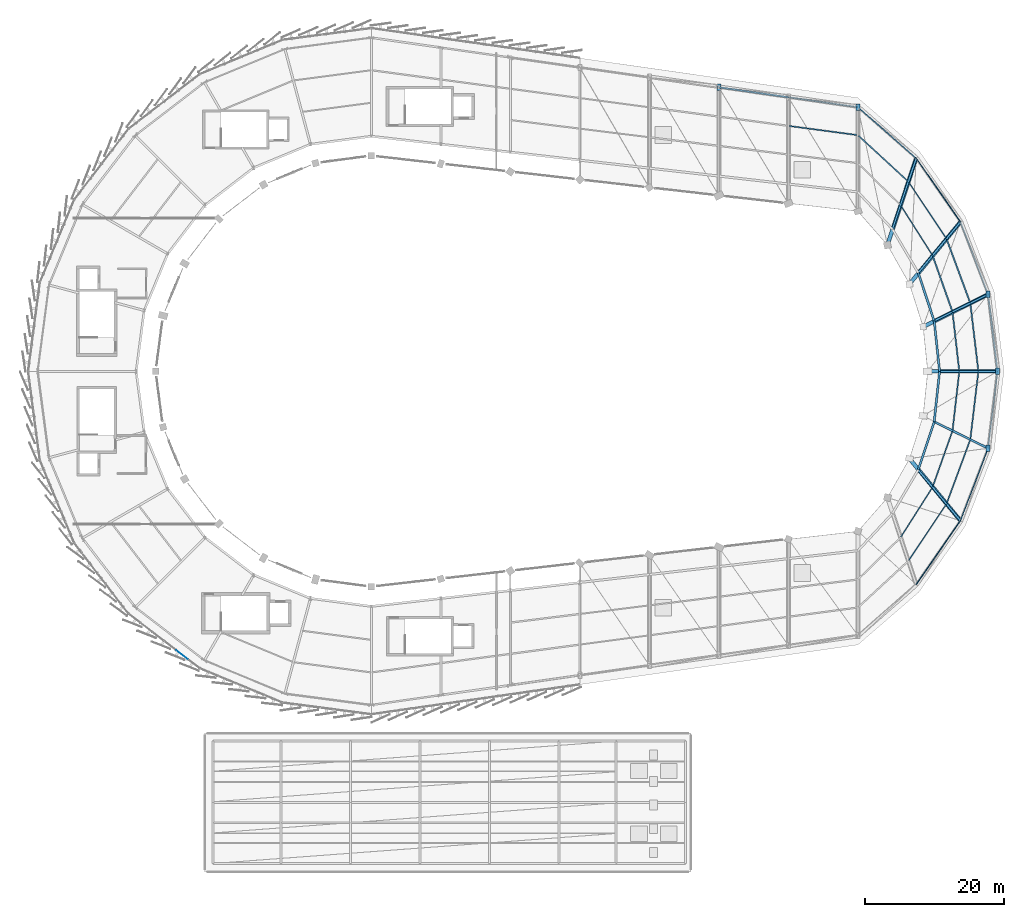
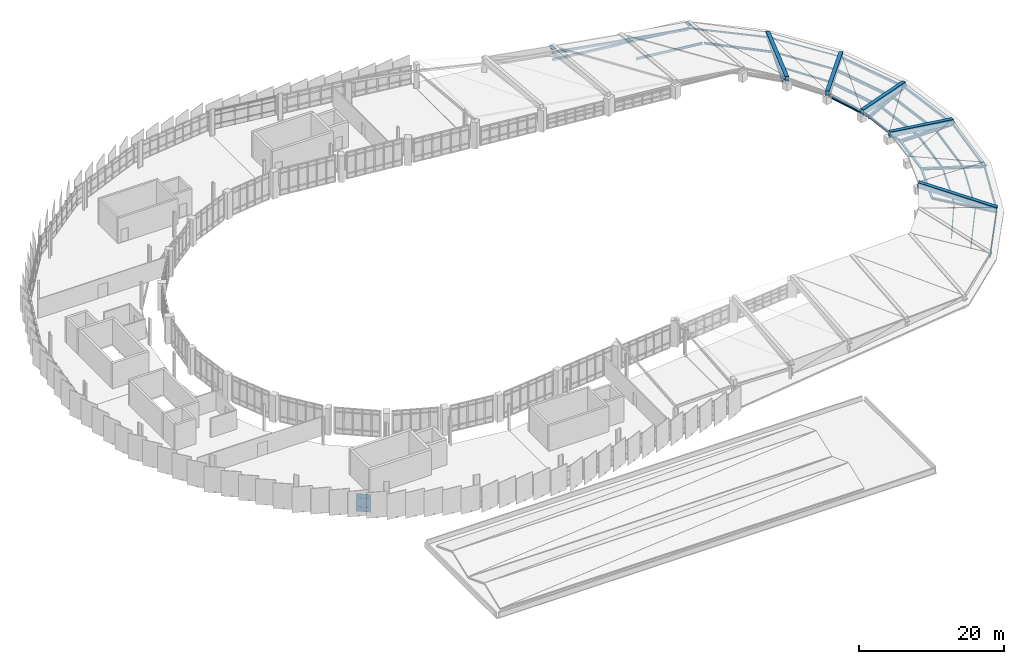
# One storey, part 44 of 67: 43 beams, 3 plates, 2 members, 1 element without a shape of its own.
"""IFC4 building model written with IfcOpenShell, lengths in metres."""

from ifc_helpers import new_model, si_unit, direction, frame, origin, origin_2d, place, context, subcontext, project, spatial, rectangle, hollow_rectangle, i_section, extrude, material, layer, layer_set, material_profile, profile_set, type_object, element, aggregate, save


model = new_model("IFC4")

# Units and contexts
model_context = context("Model", 3, precision=1e-05, world=origin(), true_north=direction((0.0, 1.0)))
body_context = subcontext(model_context, "Body", "Model", "MODEL_VIEW")
ifc_project = project(units=[si_unit("LENGTHUNIT", "METRE"), si_unit("AREAUNIT", "SQUARE_METRE"), si_unit("VOLUMEUNIT", "CUBIC_METRE"), si_unit("PLANEANGLEUNIT", "RADIAN"), si_unit("MASSUNIT", "GRAM", prefix="KILO")], contexts=[model_context])

# Site, building, storey
site_placement = place(None, origin())
site = spatial("IfcSite", under=ifc_project, at=site_placement, CompositionType="ELEMENT")
building_placement = place(site_placement, origin())
building = spatial("IfcBuilding", under=site, at=building_placement, Name="Sohan Crest Arena", CompositionType="ELEMENT")
storey_placement = place(building_placement, frame((0.0, 0.0, 22.5)))
storey = spatial("IfcBuildingStorey", under=building, at=storey_placement, Name="L05", CompositionType="ELEMENT", Elevation=22.5)

# Beams
ifc_material_1 = material(Name="Steel S355", Category="steel")
ifc_material_profile_1 = material_profile(ifc_material_1, i_section(OverallWidth=0.14990234375, OverallDepth=0.300048828125, WebThickness=0.007080078125, FlangeThickness=0.0107421875, at=origin_2d()), Name="IPE 300")
ifc_profile_set_1 = profile_set([ifc_material_profile_1], Name="Steel S355")
beam_type_1 = type_object("IfcBeamType", Name="STR-BM-B01", PredefinedType="JOIST", material=ifc_profile_set_1)
beam_1_placement = place(storey_placement, frame((174.18310546875, 54.175048828125, -0.3701171875), z_axis=(0.536679400997, 0.843786241027, 0.0), x_axis=(-0.843786241027, 0.536679400997, 0.0)))
element("IfcBeam", 1, at=beam_1_placement, inside=storey, type_object=beam_type_1, Name="Structural beam J-L05-1799", PredefinedType="JOIST", context=body_context, shape_type="SweptSolid", body=[
    extrude(i_section(OverallWidth=0.14990234375, OverallDepth=0.300048828125, WebThickness=0.007080078125, FlangeThickness=0.0107421875, at=origin_2d()), origin(), (0.0, 0.0, 1.0), 8.37890625),
])
beam_2_placement = place(storey_placement, frame((175.31494140625, 50.80908203125, -0.3701171875), z_axis=(0.556006645923, 0.831177844802, 0.0), x_axis=(-0.831177844802, 0.556006645923, 0.0)))
element("IfcBeam", 2, at=beam_2_placement, inside=storey, type_object=beam_type_1, Name="Structural beam J-L05-1800", PredefinedType="JOIST", context=body_context, shape_type="SweptSolid", body=[
    extrude(i_section(OverallWidth=0.14990234375, OverallDepth=0.300048828125, WebThickness=0.007080078125, FlangeThickness=0.0107421875, at=origin_2d()), origin(), (0.0, 0.0, 1.0), 9.65478515625),
])
beam_3_placement = place(storey_placement, frame((178.679931640625, 94.7548828125, -0.3701171875), z_axis=(-0.536679400997, 0.843786241027, 0.0), x_axis=(-0.843786241027, -0.536679400997, 0.0)))
element("IfcBeam", 3, at=beam_3_placement, inside=storey, type_object=beam_type_1, Name="Structural beam J-L05-1824", PredefinedType="JOIST", context=body_context, shape_type="SweptSolid", body=[
    extrude(i_section(OverallWidth=0.14990234375, OverallDepth=0.300048828125, WebThickness=0.007080078125, FlangeThickness=0.0107421875, at=origin_2d()), origin(), (0.0, 0.0, 1.0), 8.37890625),
])
beam_4_placement = place(storey_placement, frame((180.68310546875, 97.166015625, -0.3701171875), z_axis=(-0.556006645923, 0.831177844802, 0.0), x_axis=(-0.831177844802, -0.556006645923, 0.0)))
element("IfcBeam", 4, at=beam_4_placement, inside=storey, type_object=beam_type_1, Name="Structural beam J-L05-1825", PredefinedType="JOIST", context=body_context, shape_type="SweptSolid", body=[
    extrude(i_section(OverallWidth=0.14990234375, OverallDepth=0.300048828125, WebThickness=0.007080078125, FlangeThickness=0.0107421875, at=origin_2d()), origin(), (0.0, 0.0, 1.0), 9.65478515625),
])
ifc_material_profile_2 = material_profile(ifc_material_1, i_section(OverallWidth=0.169921875, OverallDepth=0.360107421875, WebThickness=0.008056640625, FlangeThickness=0.0126953125, at=origin_2d()), Name="IPE 360")
ifc_profile_set_2 = profile_set([ifc_material_profile_2], Name="Steel S355")
beam_type_2 = type_object("IfcBeamType", Name="STR-BM-B02", PredefinedType="JOIST", material=ifc_profile_set_2)
beam_5_placement = place(storey_placement, frame((178.77587890625, 61.44189453125, -0.39990234375), z_axis=(0.333403454645, 0.942784247021, 0.0), x_axis=(-0.942784247021, 0.333403454645, 0.0)))
element("IfcBeam", 5, at=beam_5_placement, inside=storey, type_object=beam_type_2, Name="Structural beam J-L05-1804", PredefinedType="JOIST", context=body_context, shape_type="SweptSolid", body=[
    extrude(i_section(OverallWidth=0.169921875, OverallDepth=0.360107421875, WebThickness=0.008056640625, FlangeThickness=0.0126953125, at=origin_2d()), origin(), (0.0, 0.0, 1.0), 8.3837890625),
])
beam_6_placement = place(storey_placement, frame((180.781982421875, 59.028076171875, -0.39990234375), z_axis=(0.346567455642, 0.938025052272, 0.0), x_axis=(-0.938025052272, 0.346567455642, 0.0)))
element("IfcBeam", 6, at=beam_6_placement, inside=storey, type_object=beam_type_2, Name="Structural beam J-L05-1805", PredefinedType="JOIST", context=body_context, shape_type="SweptSolid", body=[
    extrude(i_section(OverallWidth=0.169921875, OverallDepth=0.360107421875, WebThickness=0.008056640625, FlangeThickness=0.0126953125, at=origin_2d()), origin(), (0.0, 0.0, 1.0), 9.657470703125),
])
beam_7_placement = place(storey_placement, frame((175.173095703125, 105.35693359375, -0.39990234375), z_axis=(-0.735036224245, 0.678027837959, 0.0), x_axis=(-0.678027837959, -0.735036224245, 0.0)))
element("IfcBeam", 7, at=beam_7_placement, inside=storey, type_object=beam_type_2, Name="Structural beam J-L05-1830", PredefinedType="JOIST", context=body_context, shape_type="SweptSolid", body=[
    extrude(i_section(OverallWidth=0.169921875, OverallDepth=0.360107421875, WebThickness=0.008056640625, FlangeThickness=0.0126953125, at=origin_2d()), origin(), (0.0, 0.0, 1.0), 9.648681640625),
])
ifc_material_profile_3 = material_profile(ifc_material_1, i_section(OverallWidth=0.179931640625, OverallDepth=0.39990234375, WebThickness=0.008544921875, FlangeThickness=0.013427734375, at=origin_2d()), Name="IPE 400")
ifc_profile_set_3 = profile_set([ifc_material_profile_3], Name="Steel S355")
beam_type_3 = type_object("IfcBeamType", Name="STR-BM-B03", PredefinedType="JOIST", material=ifc_profile_set_3)
beam_8_placement = place(storey_placement, frame((181.6201171875, 69.55908203125, -0.419921875), z_axis=(0.11316313726, 0.993576420999, 0.0), x_axis=(-0.993576420999, 0.11316313726, 0.0)))
element("IfcBeam", 8, at=beam_8_placement, inside=storey, type_object=beam_type_3, Name="Structural beam J-L05-1809", PredefinedType="JOIST", context=body_context, shape_type="SweptSolid", body=[
    extrude(i_section(OverallWidth=0.179931640625, OverallDepth=0.39990234375, WebThickness=0.008544921875, FlangeThickness=0.013427734375, at=origin_2d()), origin(), (0.0, 0.0, 1.0), 8.385986328125),
])
beam_9_placement = place(storey_placement, frame((184.179931640625, 68.299072265625, -0.419921875), z_axis=(0.117608198901, 0.993060074493, 0.0), x_axis=(-0.993060074493, 0.117608198901, 0.0)))
element("IfcBeam", 9, at=beam_9_placement, inside=storey, type_object=beam_type_3, Name="Structural beam J-L05-1810", PredefinedType="JOIST", context=body_context, shape_type="SweptSolid", body=[
    extrude(i_section(OverallWidth=0.179931640625, OverallDepth=0.39990234375, WebThickness=0.008544921875, FlangeThickness=0.013427734375, at=origin_2d()), origin(), (0.0, 0.0, 1.0), 9.6591796875),
])
beam_10_placement = place(storey_placement, frame((167.89111328125, 111.989013671875, -0.419921875), z_axis=(-0.991219472477, 0.132226916252, 0.0), x_axis=(-0.132226916252, -0.991219472477, 0.0)))
element("IfcBeam", 10, at=beam_10_placement, inside=storey, type_object=beam_type_3, Name="Structural beam J-L05-1835", PredefinedType="JOIST", context=body_context, shape_type="SweptSolid", body=[
    extrude(i_section(OverallWidth=0.179931640625, OverallDepth=0.39990234375, WebThickness=0.008544921875, FlangeThickness=0.013427734375, at=origin_2d()), origin(), (0.0, 0.0, 1.0), 9.868896484375),
])
ifc_material_profile_4 = material_profile(ifc_material_1, i_section(OverallWidth=0.18994140625, OverallDepth=0.449951171875, WebThickness=0.009521484375, FlangeThickness=0.0146484375, at=origin_2d()), Name="IPE 450")
ifc_profile_set_4 = profile_set([ifc_material_profile_4], Name="Steel S355")
beam_type_4 = type_object("IfcBeamType", Name="STR-BM-B04", PredefinedType="JOIST", material=ifc_profile_set_4)
beam_11_placement = place(storey_placement, frame((182.569091796875, 78.10888671875, -0.445068359375), z_axis=(-0.11316313726, 0.993576420999, 0.0), x_axis=(-0.993576420999, -0.11316313726, 0.0)))
element("IfcBeam", 11, at=beam_11_placement, inside=storey, type_object=beam_type_4, Name="Structural beam J-L05-1814", PredefinedType="JOIST", context=body_context, shape_type="SweptSolid", body=[
    extrude(i_section(OverallWidth=0.18994140625, OverallDepth=0.449951171875, WebThickness=0.009521484375, FlangeThickness=0.0146484375, at=origin_2d()), origin(), (0.0, 0.0, 1.0), 8.385986328125),
])
beam_12_placement = place(storey_placement, frame((185.31591796875, 78.10888671875, -0.445068359375), z_axis=(-0.117608198901, 0.993060074493, 0.0), x_axis=(-0.993060074493, -0.117608198901, 0.0)))
element("IfcBeam", 12, at=beam_12_placement, inside=storey, type_object=beam_type_4, Name="Structural beam J-L05-1815", PredefinedType="JOIST", context=body_context, shape_type="SweptSolid", body=[
    extrude(i_section(OverallWidth=0.18994140625, OverallDepth=0.449951171875, WebThickness=0.009521484375, FlangeThickness=0.0146484375, at=origin_2d()), origin(), (0.0, 0.0, 1.0), 9.6591796875),
])
ifc_material_profile_5 = material_profile(ifc_material_1, i_section(OverallWidth=0.199951171875, OverallDepth=0.5, WebThickness=0.01025390625, FlangeThickness=0.01611328125, at=origin_2d()), Name="IPE 500")
ifc_profile_set_5 = profile_set([ifc_material_profile_5], Name="Steel S355")
beam_type_5 = type_object("IfcBeamType", Name="STR-BM-B05", PredefinedType="JOIST", material=ifc_profile_set_5)
beam_13_placement = place(storey_placement, frame((181.571044921875, 86.654052734375, -0.469970703125), z_axis=(-0.333403454645, 0.942784247021, 0.0), x_axis=(-0.942784247021, -0.333403454645, 0.0)))
element("IfcBeam", 13, at=beam_13_placement, inside=storey, type_object=beam_type_5, Name="Structural beam J-L05-1819", PredefinedType="JOIST", context=body_context, shape_type="SweptSolid", body=[
    extrude(i_section(OverallWidth=0.199951171875, OverallDepth=0.5, WebThickness=0.01025390625, FlangeThickness=0.01611328125, at=origin_2d()), origin(), (0.0, 0.0, 1.0), 8.3837890625),
])
beam_14_placement = place(storey_placement, frame((184.12890625, 87.9130859375, -0.469970703125), z_axis=(-0.346567455642, 0.938025052272, 0.0), x_axis=(-0.938025052272, -0.346567455642, 0.0)))
element("IfcBeam", 14, at=beam_14_placement, inside=storey, type_object=beam_type_5, Name="Structural beam J-L05-1820", PredefinedType="JOIST", context=body_context, shape_type="SweptSolid", body=[
    extrude(i_section(OverallWidth=0.199951171875, OverallDepth=0.5, WebThickness=0.01025390625, FlangeThickness=0.01611328125, at=origin_2d()), origin(), (0.0, 0.0, 1.0), 9.657470703125),
])
ifc_material_profile_6 = material_profile(ifc_material_1, i_section(OverallWidth=0.300048828125, OverallDepth=0.590087890625, WebThickness=0.012939453125, FlangeThickness=0.02490234375, at=origin_2d()), Name="HEA 600")
ifc_profile_set_6 = profile_set([ifc_material_profile_6], Name="Steel S355")
beam_type_6 = type_object("IfcBeamType", Name="STR-BM-B11", PredefinedType="BEAM", material=ifc_profile_set_6)
beam_15_placement = place(storey_placement, frame((178.971923828125, 85.251953125, -0.514892578125), z_axis=(0.897117109087, 0.441792816356, 0.0), x_axis=(-0.441792816356, 0.897117109087, 0.0)))
element("IfcBeam", 15, at=beam_15_placement, inside=storey, type_object=beam_type_6, Name="Structural beam G-L05-1816", PredefinedType="BEAM", context=body_context, shape_type="SweptSolid", body=[
    extrude(i_section(OverallWidth=0.300048828125, OverallDepth=0.590087890625, WebThickness=0.012939453125, FlangeThickness=0.02490234375, at=origin_2d()), origin(), (0.0, 0.0, 1.0), 8.642333984375),
])
ifc_material_profile_7 = material_profile(ifc_material_1, i_section(OverallWidth=0.300048828125, OverallDepth=0.300048828125, WebThickness=0.010986328125, FlangeThickness=0.01904296875, at=origin_2d()), Name="HEB 300")
ifc_profile_set_7 = profile_set([ifc_material_profile_7], Name="Steel S355")
beam_type_7 = type_object("IfcBeamType", Name="STR-BM-B12", PredefinedType="BEAM", material=ifc_profile_set_7)
beam_16_placement = place(storey_placement, frame((176.674072265625, 63.824951171875, -0.3701171875), z_axis=(0.638940924568, -0.7692558059, 0.0), x_axis=(0.7692558059, 0.638940924568, 0.0)))
element("IfcBeam", 16, at=beam_16_placement, inside=storey, type_object=beam_type_7, Name="Structural beam G-L05-1801", PredefinedType="BEAM", context=body_context, shape_type="SweptSolid", body=[
    extrude(i_section(OverallWidth=0.300048828125, OverallDepth=0.300048828125, WebThickness=0.010986328125, FlangeThickness=0.01904296875, at=origin_2d()), origin(), (0.0, 0.0, 1.0), 9.5078125),
])
beam_17_placement = place(storey_placement, frame((176.674072265625, 63.824951171875, -0.3701171875), z_axis=(0.315012572955, 0.949087498011, 0.0), x_axis=(-0.949087498011, 0.315012572955, 0.0)))
element("IfcBeam", 17, at=beam_17_placement, inside=storey, type_object=beam_type_7, Name="Structural beam G-L05-1802", PredefinedType="BEAM", context=body_context, shape_type="SweptSolid", body=[
    extrude(i_section(OverallWidth=0.300048828125, OverallDepth=0.300048828125, WebThickness=0.010986328125, FlangeThickness=0.01904296875, at=origin_2d()), origin(), (0.0, 0.0, 1.0), 7.29443359375),
])
for number, where, z_axis, x_axis, name in (
    (18, (178.971923828125, 70.748046875, -0.3701171875), (0.106679679342, 0.994293440598, 0.0), (-0.994293440598, 0.106679679342, 0.0), "Structural beam G-L05-1807"),
    (19, (179.75, 78.0, -0.3701171875), (-0.106679679342, 0.994293440598, 0.0), (-0.994293440598, -0.106679679342, 0.0), "Structural beam G-L05-1812"),
):
    element("IfcBeam", number, at=place(storey_placement, frame(where, z_axis=z_axis, x_axis=x_axis)), inside=storey, type_object=beam_type_7, Name=name, PredefinedType="BEAM", context=body_context, shape_type="SweptSolid", body=[
        extrude(i_section(OverallWidth=0.300048828125, OverallDepth=0.300048828125, WebThickness=0.010986328125, FlangeThickness=0.01904296875, at=origin_2d()), origin(), (0.0, 0.0, 1.0), 7.29345703125),
    ])
beam_18_placement = place(storey_placement, frame((178.971923828125, 85.251953125, -0.3701171875), z_axis=(-0.315012572955, 0.949087498011, 0.0), x_axis=(-0.949087498011, -0.315012572955, 0.0)))
element("IfcBeam", 20, at=beam_18_placement, inside=storey, type_object=beam_type_7, Name="Structural beam G-L05-1817", PredefinedType="BEAM", context=body_context, shape_type="SweptSolid", body=[
    extrude(i_section(OverallWidth=0.300048828125, OverallDepth=0.300048828125, WebThickness=0.010986328125, FlangeThickness=0.01904296875, at=origin_2d()), origin(), (0.0, 0.0, 1.0), 7.29443359375),
])
beam_19_placement = place(storey_placement, frame((176.674072265625, 92.175048828125, -0.3701171875), z_axis=(0.638940924568, 0.7692558059, 0.0), x_axis=(-0.7692558059, 0.638940924568, 0.0)))
element("IfcBeam", 21, at=beam_19_placement, inside=storey, type_object=beam_type_7, Name="Structural beam G-L05-1821", PredefinedType="BEAM", context=body_context, shape_type="SweptSolid", body=[
    extrude(i_section(OverallWidth=0.300048828125, OverallDepth=0.300048828125, WebThickness=0.010986328125, FlangeThickness=0.01904296875, at=origin_2d()), origin(), (0.0, 0.0, 1.0), 9.5078125),
])
ifc_material_profile_8 = material_profile(ifc_material_1, i_section(OverallWidth=0.300048828125, OverallDepth=0.39990234375, WebThickness=0.013427734375, FlangeThickness=0.02392578125, at=origin_2d()), Name="HEB 400")
ifc_profile_set_8 = profile_set([ifc_material_profile_8], Name="Steel S355")
beam_type_8 = type_object("IfcBeamType", Name="STR-BM-B13", PredefinedType="BEAM", material=ifc_profile_set_8)
beam_20_placement = place(storey_placement, frame((178.971923828125, 70.748046875, -0.419921875), z_axis=(0.897117109087, -0.441792816356, 0.0), x_axis=(0.441792816356, 0.897117109087, 0.0)))
element("IfcBeam", 22, at=beam_20_placement, inside=storey, type_object=beam_type_8, Name="Structural beam G-L05-1806", PredefinedType="BEAM", context=body_context, shape_type="SweptSolid", body=[
    extrude(i_section(OverallWidth=0.300048828125, OverallDepth=0.39990234375, WebThickness=0.013427734375, FlangeThickness=0.02392578125, at=origin_2d()), origin(), (0.0, 0.0, 1.0), 8.642333984375),
])
beam_21_placement = place(storey_placement, frame((172.9609375, 98.452880859375, -0.419921875), z_axis=(0.318297981778, 0.947990714509, 0.0), x_axis=(-0.947990714509, 0.318297981778, 0.0)))
element("IfcBeam", 23, at=beam_21_placement, inside=storey, type_object=beam_type_8, Name="Structural beam G-L05-1826", PredefinedType="BEAM", context=body_context, shape_type="SweptSolid", body=[
    extrude(i_section(OverallWidth=0.300048828125, OverallDepth=0.39990234375, WebThickness=0.013427734375, FlangeThickness=0.02392578125, at=origin_2d()), origin(), (0.0, 0.0, 1.0), 10.751220703125),
])
ifc_material_profile_9 = material_profile(ifc_material_1, i_section(OverallWidth=0.300048828125, OverallDepth=0.5, WebThickness=0.014404296875, FlangeThickness=0.028076171875, at=origin_2d()), Name="HEB 500")
ifc_profile_set_9 = profile_set([ifc_material_profile_9], Name="Steel S355")
beam_type_9 = type_object("IfcBeamType", Name="STR-BM-B14", PredefinedType="BEAM", material=ifc_profile_set_9)
beam_22_placement = place(storey_placement, frame((179.75, 78.0, -0.469970703125), z_axis=(1.0, 0.0, 0.0), x_axis=(0.0, 1.0, 0.0)))
element("IfcBeam", 24, at=beam_22_placement, inside=storey, type_object=beam_type_9, Name="Structural beam G-L05-1811", PredefinedType="BEAM", context=body_context, shape_type="SweptSolid", body=[
    extrude(i_section(OverallWidth=0.300048828125, OverallDepth=0.5, WebThickness=0.014404296875, FlangeThickness=0.028076171875, at=origin_2d()), origin(), (0.0, 0.0, 1.0), 8.326904296875),
])
ifc_material_2 = material(Name="Precast concrete C50/60", Category="concrete")
ifc_material_profile_10 = material_profile(ifc_material_2, rectangle(XDim=0.550048828125, YDim=0.89990234375, at=origin_2d()), Name="RAKER 550x900")
ifc_profile_set_10 = profile_set([ifc_material_profile_10], Name="Precast concrete C50/60")
beam_type_10 = type_object("IfcBeamType", Name="STR-BM-RK01", PredefinedType="USERDEFINED", material=ifc_profile_set_10)
beam_23_placement = place(storey_placement, frame((175.408935546875, 65.455078125, 1.43310546875), z_axis=(0.630110977829, -0.767806940721, -0.115899341673), x_axis=(0.77301632557, 0.634386128791, 0.0)))
element("IfcBeam", 25, at=beam_23_placement, inside=storey, type_object=beam_type_10, Name="Perimeter radial apron raker RKB-22", ObjectType="RAKER", PredefinedType="USERDEFINED", context=body_context, shape_type="SweptSolid", body=[
    extrude(rectangle(XDim=0.550048828125, YDim=0.89990234375, at=origin_2d()), origin(), (0.0, 0.0, 1.0), 11.64892578125),
])
beam_24_placement = place(storey_placement, frame((186.72509765625, 66.929931640625, 0.013916015625), z_axis=(0.0, 0.0, -1.0), x_axis=(1.0, 0.0, 0.0)))
element("IfcBeam", 26, at=beam_24_placement, inside=storey, type_object=beam_type_10, Name="Perimeter cantilever nose bracket RKC-23", ObjectType="RAKER", PredefinedType="USERDEFINED", context=body_context, shape_type="SweptSolid", body=[
    extrude(rectangle(XDim=0.550048828125, YDim=0.89990234375, at=origin_2d()), origin(), (0.0, 0.0, 1.0), 0.199951171875),
])
beam_25_placement = place(storey_placement, frame((178.02294921875, 78.0, 1.35009765625), z_axis=(0.991103874193, 0.0, -0.133090610337), x_axis=(0.0, 1.0, 0.0)))
element("IfcBeam", 27, at=beam_25_placement, inside=storey, type_object=beam_type_10, Name="Perimeter radial apron raker RKB-24", ObjectType="RAKER", PredefinedType="USERDEFINED", context=body_context, shape_type="SweptSolid", body=[
    extrude(rectangle(XDim=0.550048828125, YDim=0.89990234375, at=origin_2d()), origin(), (0.0, 0.0, 1.0), 10.144287109375),
])
beam_26_placement = place(storey_placement, frame((188.076904296875, 78.0, 0.0), z_axis=(0.0, 0.0, -1.0), x_axis=(1.0, 0.0, 0.0)))
element("IfcBeam", 28, at=beam_26_placement, inside=storey, type_object=beam_type_10, Name="Perimeter cantilever nose bracket RKC-24", ObjectType="RAKER", PredefinedType="USERDEFINED", context=body_context, shape_type="SweptSolid", body=[
    extrude(rectangle(XDim=0.550048828125, YDim=0.89990234375, at=origin_2d()), origin(), (0.0, 0.0, 1.0), 0.199951171875),
])
beam_27_placement = place(storey_placement, frame((177.363037109375, 84.406982421875, 1.364013671875), z_axis=(0.887746877801, 0.442171887396, -0.1280214941), x_axis=(-0.445840533691, 0.895112405521, 0.0)))
element("IfcBeam", 29, at=beam_27_placement, inside=storey, type_object=beam_type_10, Name="Perimeter radial apron raker RKB-25", ObjectType="RAKER", PredefinedType="USERDEFINED", context=body_context, shape_type="SweptSolid", body=[
    extrude(rectangle(XDim=0.550048828125, YDim=0.89990234375, at=origin_2d()), origin(), (0.0, 0.0, 1.0), 10.5458984375),
])
beam_28_placement = place(storey_placement, frame((186.72509765625, 89.070068359375, 0.013916015625), z_axis=(0.0, 0.0, -1.0), x_axis=(1.0, 0.0, 0.0)))
element("IfcBeam", 30, at=beam_28_placement, inside=storey, type_object=beam_type_10, Name="Perimeter cantilever nose bracket RKC-25", ObjectType="RAKER", PredefinedType="USERDEFINED", context=body_context, shape_type="SweptSolid", body=[
    extrude(rectangle(XDim=0.550048828125, YDim=0.89990234375, at=origin_2d()), origin(), (0.0, 0.0, 1.0), 0.199951171875),
])
beam_29_placement = place(storey_placement, frame((175.408935546875, 90.544921875, 1.43310546875), z_axis=(0.630110977829, 0.767806940721, -0.115899341673), x_axis=(-0.77301632557, 0.634386128791, 0.0)))
element("IfcBeam", 31, at=beam_29_placement, inside=storey, type_object=beam_type_10, Name="Perimeter radial apron raker RKB-26", ObjectType="RAKER", PredefinedType="USERDEFINED", context=body_context, shape_type="SweptSolid", body=[
    extrude(rectangle(XDim=0.550048828125, YDim=0.89990234375, at=origin_2d()), origin(), (0.0, 0.0, 1.0), 11.64892578125),
])
beam_30_placement = place(storey_placement, frame((172.242919921875, 96.154052734375, 1.574951171875), z_axis=(0.312976464904, 0.944263172184, -0.102043099095), x_axis=(-0.949218110987, 0.314618781661, 0.0)))
element("IfcBeam", 32, at=beam_30_placement, inside=storey, type_object=beam_type_10, Name="Perimeter radial apron raker RKB-27", ObjectType="RAKER", PredefinedType="USERDEFINED", context=body_context, shape_type="SweptSolid", body=[
    extrude(rectangle(XDim=0.550048828125, YDim=0.89990234375, at=origin_2d()), origin(), (0.0, 0.0, 1.0), 13.228271484375),
])
for number, where, z_axis, x_axis, name in (
    (33, (168.0, 116.0, 0.448974609375), (0.0, 0.0, -1.0), (1.0, 0.0, 0.0), "Perimeter cantilever nose bracket RKC-28"),
    (34, (148.0, 118.85693359375, 1.77294921875), (0.0, 0.0, -1.0), (1.0, 0.0, 0.0), "Perimeter cantilever nose bracket RKC-30"),
):
    element("IfcBeam", number, at=place(storey_placement, frame(where, z_axis=z_axis, x_axis=x_axis)), inside=storey, type_object=beam_type_10, Name=name, ObjectType="RAKER", PredefinedType="USERDEFINED", context=body_context, shape_type="SweptSolid", body=[
        extrude(rectangle(XDim=0.550048828125, YDim=0.89990234375, at=origin_2d()), origin(), (0.0, 0.0, 1.0), 0.199951171875),
    ])
ifc_material_profile_11 = material_profile(ifc_material_1, hollow_rectangle(XDim=0.10009765625, YDim=0.199951171875, WallThickness=0.008056640625, at=origin_2d()), Name="RHS 200x100x8")
ifc_profile_set_11 = profile_set([ifc_material_profile_11], Name="Steel S355")
beam_type_11 = type_object("IfcBeamType", Name="STR-BM-SP01", PredefinedType="SPANDREL", material=ifc_profile_set_11)
for number, where, z_axis, x_axis, name in (
    (35, (176.383056640625, 47.35498046875, -0.320068359375), (0.570857282329, 0.8210493062, 0.0), (-0.8210493062, 0.570857282329, 0.0), "Structural beam SP-L05-1798"),
    (36, (182.7490234375, 99.489013671875, -0.320068359375), (-0.570857282329, 0.8210493062, 0.0), (-0.8210493062, -0.570857282329, 0.0), "Structural beam SP-L05-1823"),
):
    element("IfcBeam", number, at=place(storey_placement, frame(where, z_axis=z_axis, x_axis=x_axis)), inside=storey, type_object=beam_type_11, Name=name, PredefinedType="SPANDREL", context=body_context, shape_type="SweptSolid", body=[
        extrude(hollow_rectangle(XDim=0.10009765625, YDim=0.199951171875, WallThickness=0.008056640625, at=origin_2d()), origin(), (0.0, 0.0, 1.0), 11.151611328125),
    ])
ifc_material_profile_12 = material_profile(ifc_material_1, hollow_rectangle(XDim=0.14990234375, YDim=0.25, WallThickness=0.010009765625, at=origin_2d()), Name="RHS 250x150x10")
ifc_profile_set_12 = profile_set([ifc_material_profile_12], Name="Steel S355")
beam_type_12 = type_object("IfcBeamType", Name="STR-BM-SP02", PredefinedType="SPANDREL", material=ifc_profile_set_12)
beam_31_placement = place(storey_placement, frame((182.7490234375, 56.510986328125, -0.344970703125), z_axis=(0.356539672716, 0.934280183767, 0.0), x_axis=(-0.934280183767, 0.356539672716, 0.0)))
element("IfcBeam", 37, at=beam_31_placement, inside=storey, type_object=beam_type_12, Name="Structural beam SP-L05-1803", PredefinedType="SPANDREL", context=body_context, shape_type="SweptSolid", body=[
    extrude(hollow_rectangle(XDim=0.14990234375, YDim=0.25, WallThickness=0.010009765625, at=origin_2d()), origin(), (0.0, 0.0, 1.0), 11.15185546875),
])
beam_32_placement = place(storey_placement, frame((176.383056640625, 108.64501953125, -0.344970703125), z_axis=(-0.751695897988, 0.659509876308, 0.0), x_axis=(-0.659509876308, -0.751695897988, 0.0)))
element("IfcBeam", 38, at=beam_32_placement, inside=storey, type_object=beam_type_12, Name="Structural beam SP-L05-1828", PredefinedType="SPANDREL", context=body_context, shape_type="SweptSolid", body=[
    extrude(hollow_rectangle(XDim=0.14990234375, YDim=0.25, WallThickness=0.010009765625, at=origin_2d()), origin(), (0.0, 0.0, 1.0), 11.152099609375),
])
ifc_material_profile_13 = material_profile(ifc_material_1, hollow_rectangle(XDim=0.199951171875, YDim=0.300048828125, WallThickness=0.010009765625, at=origin_2d()), Name="RHS 300x200x10")
ifc_profile_set_13 = profile_set([ifc_material_profile_13], Name="Steel S355")
beam_type_13 = type_object("IfcBeamType", Name="STR-BM-SP03", PredefinedType="SPANDREL", material=ifc_profile_set_13)
beam_33_placement = place(storey_placement, frame((186.72509765625, 66.929931640625, -0.3701171875), z_axis=(0.121213260401, 0.992626488415, 0.0), x_axis=(-0.992626488415, 0.121213260401, 0.0)))
element("IfcBeam", 39, at=beam_33_placement, inside=storey, type_object=beam_type_13, Name="Structural beam SP-L05-1808", PredefinedType="SPANDREL", context=body_context, shape_type="SweptSolid", body=[
    extrude(hollow_rectangle(XDim=0.199951171875, YDim=0.300048828125, WallThickness=0.010009765625, at=origin_2d()), origin(), (0.0, 0.0, 1.0), 11.15234375),
])
beam_34_placement = place(storey_placement, frame((168.0, 116.0, -0.3701171875), z_axis=(-0.989944175879, 0.141458575718, 0.0), x_axis=(-0.141458575718, -0.989944175879, 0.0)))
element("IfcBeam", 40, at=beam_34_placement, inside=storey, type_object=beam_type_13, Name="Structural beam SP-L05-1833", PredefinedType="SPANDREL", context=body_context, shape_type="SweptSolid", body=[
    extrude(hollow_rectangle(XDim=0.199951171875, YDim=0.300048828125, WallThickness=0.010009765625, at=origin_2d()), origin(), (0.0, 0.0, 1.0), 10.1015625),
])
ifc_material_profile_14 = material_profile(ifc_material_1, hollow_rectangle(XDim=0.25, YDim=0.35009765625, WallThickness=0.012451171875, at=origin_2d()), Name="RHS 350x250x12.5")
ifc_profile_set_14 = profile_set([ifc_material_profile_14], Name="Steel S355")
beam_type_14 = type_object("IfcBeamType", Name="STR-BM-SP04", PredefinedType="SPANDREL", material=ifc_profile_set_14)
beam_35_placement = place(storey_placement, frame((188.076904296875, 78.0, -0.39501953125), z_axis=(-0.121213260401, 0.992626488415, 0.0), x_axis=(-0.992626488415, -0.121213260401, 0.0)))
element("IfcBeam", 41, at=beam_35_placement, inside=storey, type_object=beam_type_14, Name="Structural beam SP-L05-1813", PredefinedType="SPANDREL", context=body_context, shape_type="SweptSolid", body=[
    extrude(hollow_rectangle(XDim=0.25, YDim=0.35009765625, WallThickness=0.012451171875, at=origin_2d()), origin(), (0.0, 0.0, 1.0), 11.15234375),
])
beam_36_placement = place(storey_placement, frame((158.0, 117.428955078125, -0.39501953125), z_axis=(-0.989957709412, 0.141363834042, 0.0), x_axis=(-0.141363834042, -0.989957709412, 0.0)))
element("IfcBeam", 42, at=beam_36_placement, inside=storey, type_object=beam_type_14, Name="Structural beam SP-L05-1838", PredefinedType="SPANDREL", context=body_context, shape_type="SweptSolid", body=[
    extrude(hollow_rectangle(XDim=0.25, YDim=0.35009765625, WallThickness=0.012451171875, at=origin_2d()), origin(), (0.0, 0.0, 1.0), 10.1015625),
])
ifc_material_profile_15 = material_profile(ifc_material_1, hollow_rectangle(XDim=0.199951171875, YDim=0.39990234375, WallThickness=0.012451171875, at=origin_2d()), Name="RHS 400x200x12.5")
ifc_profile_set_15 = profile_set([ifc_material_profile_15], Name="Steel S355")
beam_type_15 = type_object("IfcBeamType", Name="STR-BM-SP05", PredefinedType="SPANDREL", material=ifc_profile_set_15)
beam_37_placement = place(storey_placement, frame((186.72509765625, 89.070068359375, -0.419921875), z_axis=(-0.356539672716, 0.934280183767, 0.0), x_axis=(-0.934280183767, -0.356539672716, 0.0)))
element("IfcBeam", 43, at=beam_37_placement, inside=storey, type_object=beam_type_15, Name="Structural beam SP-L05-1818", PredefinedType="SPANDREL", context=body_context, shape_type="SweptSolid", body=[
    extrude(hollow_rectangle(XDim=0.199951171875, YDim=0.39990234375, WallThickness=0.012451171875, at=origin_2d()), origin(), (0.0, 0.0, 1.0), 11.15185546875),
])

# Members
ifc_material_profile_16 = material_profile(ifc_material_1, hollow_rectangle(XDim=0.25, YDim=0.35009765625, WallThickness=0.012451171875, at=origin_2d()), Name="RHS 350x250x12.5")
ifc_profile_set_16 = profile_set([ifc_material_profile_16], Name="Steel S355")
member_type = type_object("IfcMemberType", Name="STR-MEM-CH04", PredefinedType="CHORD", material=ifc_profile_set_16)
member_1_placement = place(storey_placement, frame((168.0, 116.0, -0.5009765625), z_axis=(-0.988091422574, 0.141193825594, 0.061152630767), x_axis=(-0.141458575718, -0.989944175879, 0.0)))
element("IfcMember", 44, at=member_1_placement, inside=storey, type_object=member_type, Name="Outer roof-edge truss chord ORB-28", PredefinedType="CHORD", context=body_context, shape_type="SweptSolid", body=[
    extrude(hollow_rectangle(XDim=0.25, YDim=0.35009765625, WallThickness=0.012451171875, at=origin_2d()), origin(), (0.0, 0.0, 1.0), 10.12060546875),
])
member_2_placement = place(storey_placement, frame((158.0, 117.428955078125, 0.117919921875), z_axis=(-0.987554945883, 0.141020724572, 0.069630338958), x_axis=(-0.141363834042, -0.989957709412, 0.0)))
element("IfcMember", 45, at=member_2_placement, inside=storey, type_object=member_type, Name="Outer roof-edge truss chord ORB-29", PredefinedType="CHORD", context=body_context, shape_type="SweptSolid", body=[
    extrude(hollow_rectangle(XDim=0.25, YDim=0.35009765625, WallThickness=0.012451171875, at=origin_2d()), origin(), (0.0, 0.0, 1.0), 10.1259765625),
])

# Curtain wall, plates
ifc_material_3 = material(Name="Thermally broken anodised aluminium", Category="aluminium")
ifc_layer_1 = layer(ifc_material_3, 0.239990234375, Name="Thermally broken anodised aluminium")
ifc_layer_set_1 = layer_set([ifc_layer_1], Name="Thermally broken anodised aluminium")
curtain_wall_type = type_object("IfcCurtainWallType", Name="ARC-CW04", PredefinedType="NOTDEFINED", material=ifc_layer_set_1)
curtain_wall_placement = place(storey_placement, origin())
curtain_wall = element("IfcCurtainWall", 46, at=curtain_wall_placement, inside=storey, type_object=curtain_wall_type, Name="Unitised curtain wall CW-155", PredefinedType="NOTDEFINED")
ifc_material_4 = material(Name="Low-E double-glazed insulated glass", Category="glass")
ifc_layer_2 = layer(ifc_material_4, 0.031982421875, Name="Low-E double-glazed insulated glass")
ifc_layer_set_2 = layer_set([ifc_layer_2], Name="Low-E double-glazed insulated glass")
plate_type = type_object("IfcPlateType", Name="ARC-CNP02", PredefinedType="CURTAIN_PANEL", material=ifc_layer_set_2)
plate_1_placement = place(storey_placement, frame((70.769775390625, 37.222412109375, 0.06005859375), z_axis=(0.0, 0.0, 1.0), x_axis=(0.793385172815, -0.60871994181, 0.0)))
plate_1 = element("IfcPlate", 47, at=plate_1_placement, type_object=plate_type, Name="CW-155 panel 5.1", PredefinedType="CURTAIN_PANEL", context=body_context, shape_type="SweptSolid", body=[
    extrude(rectangle(XDim=2.08203125, YDim=0.031982421875, at=origin_2d()), origin(), (0.0, 0.0, 1.0), 0.81005859375),
])
plate_2_placement = place(storey_placement, frame((70.769775390625, 37.222412109375, 0.929931640625), z_axis=(0.0, 0.0, 1.0), x_axis=(0.793385172815, -0.60871994181, 0.0)))
plate_2 = element("IfcPlate", 48, at=plate_2_placement, type_object=plate_type, Name="CW-155 panel 5.2", PredefinedType="CURTAIN_PANEL", context=body_context, shape_type="SweptSolid", body=[
    extrude(rectangle(XDim=2.08203125, YDim=0.031982421875, at=origin_2d()), origin(), (0.0, 0.0, 1.0), 1.4599609375),
])
plate_3_placement = place(storey_placement, frame((70.769775390625, 37.222412109375, 2.44970703125), z_axis=(0.0, 0.0, 1.0), x_axis=(0.793385172815, -0.60871994181, 0.0)))
plate_3 = element("IfcPlate", 49, at=plate_3_placement, type_object=plate_type, Name="CW-155 panel 5.3", PredefinedType="CURTAIN_PANEL", context=body_context, shape_type="SweptSolid", body=[
    extrude(rectangle(XDim=2.08203125, YDim=0.031982421875, at=origin_2d()), origin(), (0.0, 0.0, 1.0), 0.610107421875),
])
aggregate(curtain_wall, [plate_1, plate_2, plate_3])

save(model, "model.ifc")
